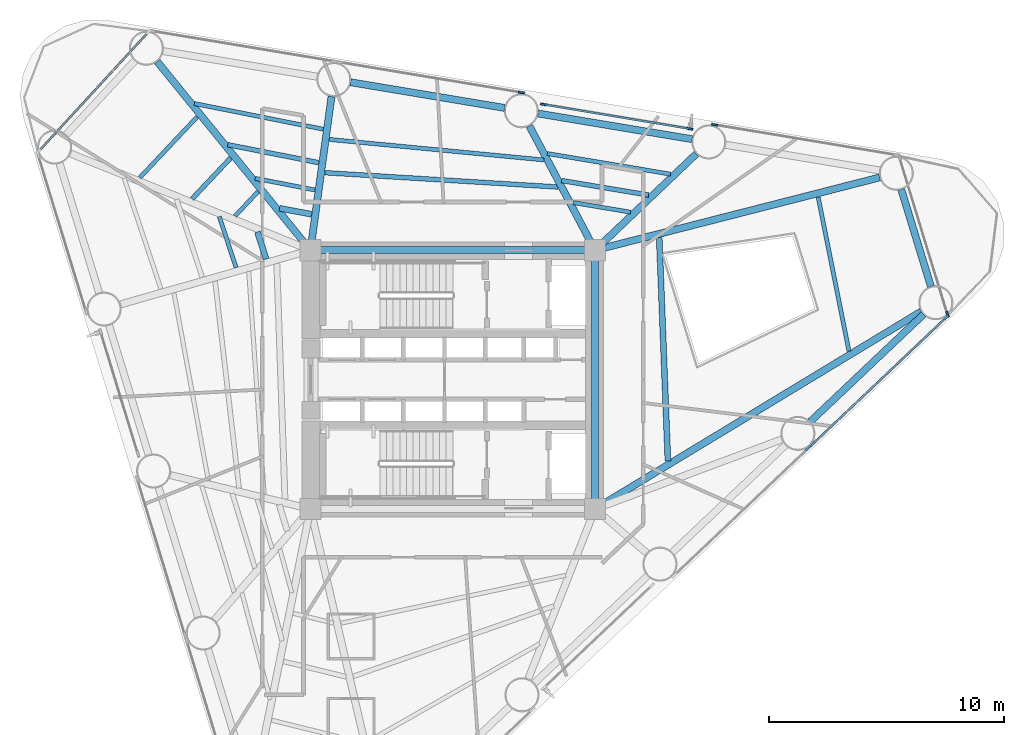
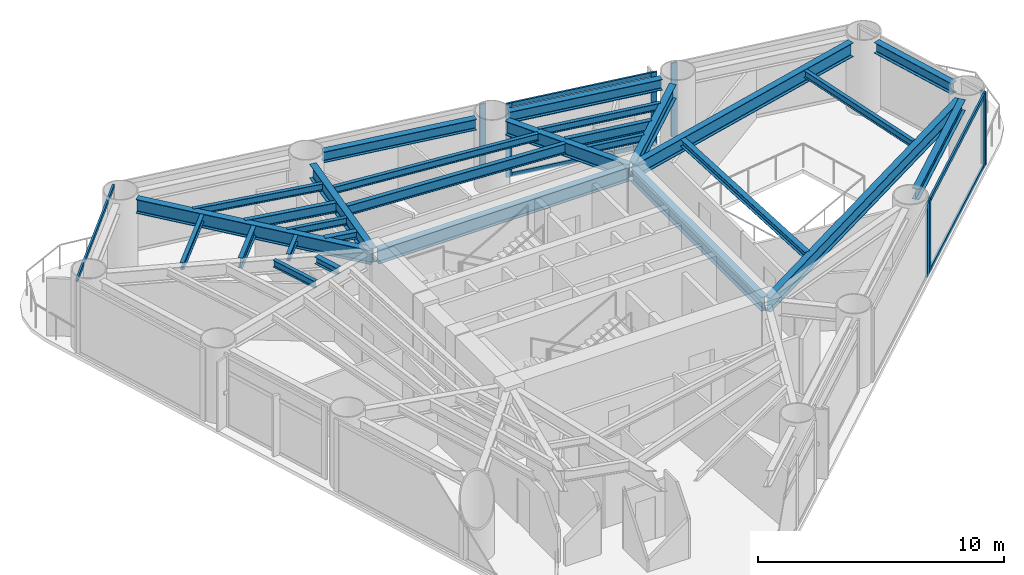
# One storey, part 3 of 10: 28 beams, 14 members, 7 elements without a shape of their own.
"""IFC4 building model written with IfcOpenShell, lengths in metres."""

from ifc_helpers import new_model, si_unit, direction, frame, origin, origin_2d, place, context, subcontext, project, spatial, rectangle, i_section, extrude, source, transform, mapped, material, layer, layer_set, material_profile, profile_set, type_object, element, aggregate, save


model = new_model("IFC4")

# Units and contexts
model_context = context("Model", 3, precision=1e-05, world=origin(), true_north=direction((0.0, 1.0)))
body_context = subcontext(model_context, "Body", "Model", "MODEL_VIEW")
ifc_project = project(units=[si_unit("LENGTHUNIT", "METRE"), si_unit("AREAUNIT", "SQUARE_METRE"), si_unit("VOLUMEUNIT", "CUBIC_METRE"), si_unit("PLANEANGLEUNIT", "RADIAN"), si_unit("MASSUNIT", "GRAM", prefix="KILO")], contexts=[model_context])

# Site, building, storey
site_placement = place(None, origin())
site = spatial("IfcSite", under=ifc_project, at=site_placement, CompositionType="ELEMENT")
building_placement = place(site_placement, origin())
building = spatial("IfcBuilding", under=site, at=building_placement, Name="Yunling Apex Tower", CompositionType="ELEMENT")
storey_placement = place(building_placement, frame((0.0, 0.0, 104.89990234375)))
storey = spatial("IfcBuildingStorey", under=building, at=storey_placement, Name="L26", CompositionType="ELEMENT", Elevation=104.89990234375)

# Beams
ifc_material_1 = material(Name="Steel Q355B", Category="steel")
ifc_material_profile_1 = material_profile(ifc_material_1, i_section(OverallWidth=0.300048828125, OverallDepth=0.699951171875, WebThickness=0.012939453125, FlangeThickness=0.02392578125, FilletRadius=0.02587890625, at=origin_2d()))
ifc_profile_set_1 = profile_set([ifc_material_profile_1], Name="Steel Q355B")
beam_type_1 = type_object("IfcBeamType", Name="BG-PRI-3", PredefinedType="USERDEFINED", material=ifc_profile_set_1)
shared_shape_1 = source(origin(), body_context, "Body", "SweptSolid", [
    extrude(i_section(OverallWidth=0.300048828125, OverallDepth=0.699951171875, WebThickness=0.012939453125, FlangeThickness=0.02392578125, FilletRadius=0.02587890625, at=origin_2d()), origin(), (0.0, 0.0, 1.0), 11.7998046875),
])
beam_1_placement = place(storey_placement, frame((5.89990234375, 5.5, 3.215087890625), z_axis=(-1.0, 0.0, 0.0), x_axis=(0.0, -1.0, 0.0)))
element("IfcBeam", 1, at=beam_1_placement, inside=storey, type_object=beam_type_1, Name="L26 Core Ring Tie Beam 3", ObjectType="GIRDER", PredefinedType="USERDEFINED", context=body_context, shape_type="MappedRepresentation", body=[
    mapped(shared_shape_1, transform((0.0, 0.0, 0.0), scale=1.0)),
])
shared_shape_2 = source(origin(), body_context, "Body", "SweptSolid", [
    extrude(i_section(OverallWidth=0.300048828125, OverallDepth=0.699951171875, WebThickness=0.012939453125, FlangeThickness=0.02392578125, FilletRadius=0.02587890625, at=origin_2d()), origin(), (0.0, 0.0, 1.0), 10.7001953125),
])
beam_2_placement = place(storey_placement, frame((6.050048828125, -5.35009765625, 3.215087890625), z_axis=(0.0, 1.0, 0.0), x_axis=(-1.0, 0.0, 0.0)))
element("IfcBeam", 2, at=beam_2_placement, inside=storey, type_object=beam_type_1, Name="L26 Core Ring Tie Beam 2", ObjectType="GIRDER", PredefinedType="USERDEFINED", context=body_context, shape_type="MappedRepresentation", body=[
    mapped(shared_shape_2, transform((0.0, 0.0, 0.0), scale=1.0)),
])
ifc_material_profile_2 = material_profile(ifc_material_1, i_section(OverallWidth=0.300048828125, OverallDepth=0.5400390625, WebThickness=0.011962890625, FlangeThickness=0.02001953125, FilletRadius=0.02392578125, at=origin_2d()))
ifc_profile_set_2 = profile_set([ifc_material_profile_2], Name="Steel Q355B")
beam_type_2 = type_object("IfcBeamType", Name="BP-SPN-1", PredefinedType="SPANDREL", material=ifc_profile_set_2)
shared_shape_3 = source(origin(), body_context, "Body", "SweptSolid", [
    extrude(i_section(OverallWidth=0.300048828125, OverallDepth=0.5400390625, WebThickness=0.011962890625, FlangeThickness=0.02001953125, FilletRadius=0.02392578125, at=origin_2d()), origin(), (0.0, 0.0, 1.0), 6.6416015625),
])
beam_3_placement = place(storey_placement, frame((15.194580078125, -1.79248046875, 3.295166015625), z_axis=(0.725873473547, 0.687828249203, 0.0), x_axis=(-0.687828249203, 0.725873473547, 0.0)))
element("IfcBeam", 3, at=beam_3_placement, inside=storey, type_object=beam_type_2, Name="L26 Perimeter Spandrel Beam 4", PredefinedType="SPANDREL", context=body_context, shape_type="MappedRepresentation", body=[
    mapped(shared_shape_3, transform((0.0, 0.0, 0.0), scale=1.0)),
])
shared_shape_4 = source(origin(), body_context, "Body", "SweptSolid", [
    extrude(i_section(OverallWidth=0.300048828125, OverallDepth=0.5400390625, WebThickness=0.011962890625, FlangeThickness=0.02001953125, FilletRadius=0.02392578125, at=origin_2d()), origin(), (0.0, 0.0, 1.0), 4.316162109375),
])
beam_4_placement = place(storey_placement, frame((20.327392578125, 3.9580078125, 3.295166015625), z_axis=(-0.29238810835, 0.956299740717, 0.0), x_axis=(-0.956299740717, -0.29238810835, 0.0)))
element("IfcBeam", 4, at=beam_4_placement, inside=storey, type_object=beam_type_2, Name="L26 Perimeter Spandrel Beam 5", PredefinedType="SPANDREL", context=body_context, shape_type="MappedRepresentation", body=[
    mapped(shared_shape_4, transform((0.0, 0.0, 0.0), scale=1.0)),
])
shared_shape_5 = source(origin(), body_context, "Body", "SweptSolid", [
    extrude(i_section(OverallWidth=0.300048828125, OverallDepth=0.5400390625, WebThickness=0.011962890625, FlangeThickness=0.02001953125, FilletRadius=0.02392578125, at=origin_2d()), origin(), (0.0, 0.0, 1.0), 6.641845703125),
])
for number, where, z_axis, x_axis, name in (
    (5, (10.176025390625, 10.21923828125, 3.295166015625), (-0.986402863526, 0.164345340146, 0.0), (-0.164345340146, -0.986402863526, 0.0), "L26 Perimeter Spandrel Beam 7"),
    (6, (2.206298828125, 11.547119140625, 3.295166015625), (-0.986396904036, 0.164381105081, 0.0), (-0.164381105081, -0.986396904036, 0.0), "L26 Perimeter Spandrel Beam 8"),
):
    element("IfcBeam", number, at=place(storey_placement, frame(where, z_axis=z_axis, x_axis=x_axis)), inside=storey, type_object=beam_type_2, Name=name, PredefinedType="SPANDREL", context=body_context, shape_type="MappedRepresentation", body=[
        mapped(shared_shape_5, transform((0.0, 0.0, 0.0), scale=1.0)),
    ])
shared_shape_6 = source(origin(), body_context, "Body", "SweptSolid", [
    extrude(i_section(OverallWidth=0.300048828125, OverallDepth=0.699951171875, WebThickness=0.012939453125, FlangeThickness=0.02392578125, FilletRadius=0.02587890625, at=origin_2d()), origin(), (0.0, 0.0, 1.0), 16.12255859375),
])
beam_5_placement = place(storey_placement, frame((19.91064453125, 2.890869140625, 3.215087890625), z_axis=(-0.855460711475, -0.517867715854, 0.0), x_axis=(0.517867715854, -0.855460711475, 0.0)))
element("IfcBeam", 7, at=beam_5_placement, inside=storey, type_object=beam_type_1, Name="L26 Radial Primary Girder R05", ObjectType="GIRDER", PredefinedType="USERDEFINED", context=body_context, shape_type="MappedRepresentation", body=[
    mapped(shared_shape_6, transform((0.0, 0.0, 0.0), scale=1.0)),
])
shared_shape_7 = source(origin(), body_context, "Body", "SweptSolid", [
    extrude(i_section(OverallWidth=0.300048828125, OverallDepth=0.699951171875, WebThickness=0.012939453125, FlangeThickness=0.02392578125, FilletRadius=0.02587890625, at=origin_2d()), origin(), (0.0, 0.0, 1.0), 12.404052734375),
])
beam_6_placement = place(storey_placement, frame((18.14501953125, 8.591552734375, 3.215087890625), z_axis=(-0.968850823376, -0.247645072723, 0.0), x_axis=(0.247645072723, -0.968850823376, 0.0)))
element("IfcBeam", 8, at=beam_6_placement, inside=storey, type_object=beam_type_1, Name="L26 Radial Primary Girder R06", ObjectType="GIRDER", PredefinedType="USERDEFINED", context=body_context, shape_type="MappedRepresentation", body=[
    mapped(shared_shape_7, transform((0.0, 0.0, 0.0), scale=1.0)),
])
shared_shape_8 = source(origin(), body_context, "Body", "SweptSolid", [
    extrude(i_section(OverallWidth=0.300048828125, OverallDepth=0.699951171875, WebThickness=0.012939453125, FlangeThickness=0.02392578125, FilletRadius=0.02587890625, at=origin_2d()), origin(), (0.0, 0.0, 1.0), 5.861572265625),
])
beam_7_placement = place(storey_placement, frame((10.354248046875, 9.595703125, 3.215087890625), z_axis=(-0.724444921608, -0.689332688588, 0.0), x_axis=(0.689332688588, -0.724444921608, 0.0)))
element("IfcBeam", 9, at=beam_7_placement, inside=storey, type_object=beam_type_1, Name="L26 Radial Primary Girder R07", ObjectType="GIRDER", PredefinedType="USERDEFINED", context=body_context, shape_type="MappedRepresentation", body=[
    mapped(shared_shape_8, transform((0.0, 0.0, 0.0), scale=1.0)),
])
shared_shape_9 = source(origin(), body_context, "Body", "SweptSolid", [
    extrude(i_section(OverallWidth=0.300048828125, OverallDepth=0.699951171875, WebThickness=0.012939453125, FlangeThickness=0.02392578125, FilletRadius=0.02587890625, at=origin_2d()), origin(), (0.0, 0.0, 1.0), 5.8935546875),
])
beam_8_placement = place(storey_placement, frame((3.258056640625, 10.781005859375, 3.215087890625), z_axis=(0.467396595772, -0.884047748858, 0.0), x_axis=(0.884047748858, 0.467396595772, 0.0)))
element("IfcBeam", 10, at=beam_8_placement, inside=storey, type_object=beam_type_1, Name="L26 Radial Primary Girder R08", ObjectType="GIRDER", PredefinedType="USERDEFINED", context=body_context, shape_type="MappedRepresentation", body=[
    mapped(shared_shape_9, transform((0.0, 0.0, 0.0), scale=1.0)),
])
shared_shape_10 = source(origin(), body_context, "Body", "SweptSolid", [
    extrude(i_section(OverallWidth=0.300048828125, OverallDepth=0.699951171875, WebThickness=0.012939453125, FlangeThickness=0.02392578125, FilletRadius=0.02587890625, at=origin_2d()), origin(), (0.0, 0.0, 1.0), 6.51171875),
])
beam_9_placement = place(storey_placement, frame((-5.154052734375, 12.03076171875, 3.215087890625), z_axis=(-0.135907866291, -0.990721480478, 0.0), x_axis=(0.990721480478, -0.135907866291, 0.0)))
element("IfcBeam", 11, at=beam_9_placement, inside=storey, type_object=beam_type_1, Name="L26 Radial Primary Girder R09", ObjectType="GIRDER", PredefinedType="USERDEFINED", context=body_context, shape_type="MappedRepresentation", body=[
    mapped(shared_shape_10, transform((0.0, 0.0, 0.0), scale=1.0)),
])
shared_shape_11 = source(origin(), body_context, "Body", "SweptSolid", [
    extrude(i_section(OverallWidth=0.300048828125, OverallDepth=0.699951171875, WebThickness=0.012939453125, FlangeThickness=0.02392578125, FilletRadius=0.02587890625, at=origin_2d()), origin(), (0.0, 0.0, 1.0), 10.248046875),
])
beam_10_placement = place(storey_placement, frame((-12.56201171875, 13.51611328125, 3.215087890625), z_axis=(0.630531635465, -0.776163550212, 0.0), x_axis=(0.776163550212, 0.630531635465, 0.0)))
element("IfcBeam", 12, at=beam_10_placement, inside=storey, type_object=beam_type_1, Name="L26 Radial Primary Girder R10", ObjectType="GIRDER", PredefinedType="USERDEFINED", context=body_context, shape_type="MappedRepresentation", body=[
    mapped(shared_shape_11, transform((0.0, 0.0, 0.0), scale=1.0)),
])
ifc_material_profile_3 = material_profile(ifc_material_1, i_section(OverallWidth=0.175048828125, OverallDepth=0.35009765625, WebThickness=0.007080078125, FlangeThickness=0.010986328125, FilletRadius=0.013916015625, at=origin_2d()))
ifc_profile_set_3 = profile_set([ifc_material_profile_3], Name="Steel Q355B")
beam_type_3 = type_object("IfcBeamType", Name="BJ-JST-1", PredefinedType="JOIST", material=ifc_profile_set_3)
shared_shape_12 = source(origin(), body_context, "Body", "SweptSolid", [
    extrude(i_section(OverallWidth=0.175048828125, OverallDepth=0.35009765625, WebThickness=0.007080078125, FlangeThickness=0.010986328125, FilletRadius=0.013916015625, at=origin_2d()), origin(), (0.0, 0.0, 1.0), 6.677978515625),
])
beam_11_placement = place(storey_placement, frame((16.844970703125, 1.2109375, 3.39013671875), z_axis=(-0.196502798026, 0.980503263823, 0.0), x_axis=(-0.980503263823, -0.196502798026, 0.0)))
element("IfcBeam", 13, at=beam_11_placement, inside=storey, type_object=beam_type_3, Name="L26 Composite Floor Joist BJ1-5", PredefinedType="JOIST", context=body_context, shape_type="MappedRepresentation", body=[
    mapped(shared_shape_12, transform((0.0, 0.0, 0.0), scale=1.0)),
])
ifc_material_profile_4 = material_profile(ifc_material_1, i_section(OverallWidth=0.25, OverallDepth=0.340087890625, WebThickness=0.009033203125, FlangeThickness=0.013916015625, FilletRadius=0.01806640625, at=origin_2d()))
ifc_profile_set_4 = profile_set([ifc_material_profile_4], Name="Steel Q355B")
beam_type_4 = type_object("IfcBeamType", Name="BJ-JST-2", PredefinedType="JOIST", material=ifc_profile_set_4)
shared_shape_13 = source(origin(), body_context, "Body", "SweptSolid", [
    extrude(i_section(OverallWidth=0.25, OverallDepth=0.340087890625, WebThickness=0.009033203125, FlangeThickness=0.013916015625, FilletRadius=0.01806640625, at=origin_2d()), origin(), (0.0, 0.0, 1.0), 9.504638671875),
])
beam_12_placement = place(storey_placement, frame((9.146484375, -3.4619140625, 3.39501953125), z_axis=(-0.038811925144, 0.999246533377, 0.0), x_axis=(-0.999246533377, -0.038811925144, 0.0)))
element("IfcBeam", 14, at=beam_12_placement, inside=storey, type_object=beam_type_4, Name="L26 Composite Floor Joist BJ2-5", PredefinedType="JOIST", context=body_context, shape_type="MappedRepresentation", body=[
    mapped(shared_shape_13, transform((0.0, 0.0, 0.0), scale=1.0)),
])
ifc_material_profile_5 = material_profile(ifc_material_1, i_section(OverallWidth=0.199951171875, OverallDepth=0.5, WebThickness=0.010009765625, FlangeThickness=0.01611328125, FilletRadius=0.02001953125, at=origin_2d()))
ifc_profile_set_5 = profile_set([ifc_material_profile_5], Name="Steel Q355B")
beam_type_5 = type_object("IfcBeamType", Name="BS-SEC-2", PredefinedType="BEAM", material=ifc_profile_set_5)
shared_shape_14 = source(origin(), body_context, "Body", "SweptSolid", [
    extrude(i_section(OverallWidth=0.199951171875, OverallDepth=0.5, WebThickness=0.010009765625, FlangeThickness=0.01611328125, FilletRadius=0.02001953125, at=origin_2d()), origin(), (0.0, 0.0, 1.0), 3.751708984375),
])
beam_13_placement = place(storey_placement, frame((8.328125, 7.84423828125, 3.315185546875), z_axis=(-0.986342871573, 0.164705008112, 0.0), x_axis=(-0.164705008112, -0.986342871573, 0.0)))
element("IfcBeam", 15, at=beam_13_placement, inside=storey, type_object=beam_type_5, Name="L26 Composite Floor Beam BS-7", PredefinedType="BEAM", context=body_context, shape_type="MappedRepresentation", body=[
    mapped(shared_shape_14, transform((0.0, 0.0, 0.0), scale=1.0)),
])
shared_shape_15 = source(origin(), body_context, "Body", "SweptSolid", [
    extrude(i_section(OverallWidth=0.175048828125, OverallDepth=0.35009765625, WebThickness=0.007080078125, FlangeThickness=0.010986328125, FilletRadius=0.013916015625, at=origin_2d()), origin(), (0.0, 0.0, 1.0), 5.31298828125),
])
beam_14_placement = place(storey_placement, frame((9.26220703125, 8.733154296875, 3.39013671875), z_axis=(-0.9863379805, 0.164734295835, 0.0), x_axis=(-0.164734295835, -0.9863379805, 0.0)))
element("IfcBeam", 16, at=beam_14_placement, inside=storey, type_object=beam_type_3, Name="L26 Composite Floor Joist BJ1-7", PredefinedType="JOIST", context=body_context, shape_type="MappedRepresentation", body=[
    mapped(shared_shape_15, transform((0.0, 0.0, 0.0), scale=1.0)),
])
shared_shape_16 = source(origin(), body_context, "Body", "SweptSolid", [
    extrude(i_section(OverallWidth=0.175048828125, OverallDepth=0.35009765625, WebThickness=0.007080078125, FlangeThickness=0.010986328125, FilletRadius=0.013916015625, at=origin_2d()), origin(), (0.0, 0.0, 1.0), 2.4736328125),
])
beam_15_placement = place(storey_placement, frame((7.563720703125, 7.116943359375, 3.39013671875), z_axis=(-0.986340524185, 0.164719064925, 0.0), x_axis=(-0.164719064925, -0.986340524185, 0.0)))
element("IfcBeam", 17, at=beam_15_placement, inside=storey, type_object=beam_type_3, Name="L26 Composite Floor Joist BJ3-7", PredefinedType="JOIST", context=body_context, shape_type="MappedRepresentation", body=[
    mapped(shared_shape_16, transform((0.0, 0.0, 0.0), scale=1.0)),
])
shared_shape_17 = source(origin(), body_context, "Body", "SweptSolid", [
    extrude(i_section(OverallWidth=0.199951171875, OverallDepth=0.5, WebThickness=0.010009765625, FlangeThickness=0.01611328125, FilletRadius=0.02001953125, at=origin_2d()), origin(), (0.0, 0.0, 1.0), 9.931396484375),
])
beam_16_placement = place(storey_placement, frame((4.4755859375, 8.185791015625, 3.315185546875), z_axis=(-0.998115763158, 0.061358971106, 0.0), x_axis=(-0.061358971106, -0.998115763158, 0.0)))
element("IfcBeam", 18, at=beam_16_placement, inside=storey, type_object=beam_type_5, Name="L26 Composite Floor Beam BS-8", PredefinedType="BEAM", context=body_context, shape_type="MappedRepresentation", body=[
    mapped(shared_shape_17, transform((0.0, 0.0, 0.0), scale=1.0)),
])
shared_shape_18 = source(origin(), body_context, "Body", "SweptSolid", [
    extrude(i_section(OverallWidth=0.175048828125, OverallDepth=0.35009765625, WebThickness=0.007080078125, FlangeThickness=0.010986328125, FilletRadius=0.013916015625, at=origin_2d()), origin(), (0.0, 0.0, 1.0), 9.154296875),
])
beam_17_placement = place(storey_placement, frame((3.8701171875, 9.33740234375, 3.39013671875), z_axis=(-0.99545727606, 0.095209303851, 0.0), x_axis=(-0.095209303851, -0.99545727606, 0.0)))
element("IfcBeam", 19, at=beam_17_placement, inside=storey, type_object=beam_type_3, Name="L26 Composite Floor Joist BJ1-8", PredefinedType="JOIST", context=body_context, shape_type="MappedRepresentation", body=[
    mapped(shared_shape_18, transform((0.0, 0.0, 0.0), scale=1.0)),
])
shared_shape_19 = source(origin(), body_context, "Body", "SweptSolid", [
    extrude(i_section(OverallWidth=0.199951171875, OverallDepth=0.5, WebThickness=0.010009765625, FlangeThickness=0.01611328125, FilletRadius=0.02001953125, at=origin_2d()), origin(), (0.0, 0.0, 1.0), 3.93603515625),
])
beam_18_placement = place(storey_placement, frame((-5.700439453125, 9.22314453125, 3.315185546875), z_axis=(-0.981071392503, 0.193646386002, 0.0), x_axis=(-0.193646386002, -0.981071392503, 0.0)))
element("IfcBeam", 20, at=beam_18_placement, inside=storey, type_object=beam_type_5, Name="L26 Composite Floor Beam BS-9", PredefinedType="BEAM", context=body_context, shape_type="MappedRepresentation", body=[
    mapped(shared_shape_19, transform((0.0, 0.0, 0.0), scale=1.0)),
])
shared_shape_20 = source(origin(), body_context, "Body", "SweptSolid", [
    extrude(i_section(OverallWidth=0.175048828125, OverallDepth=0.35009765625, WebThickness=0.007080078125, FlangeThickness=0.010986328125, FilletRadius=0.013916015625, at=origin_2d()), origin(), (0.0, 0.0, 1.0), 5.5859375),
])
beam_19_placement = place(storey_placement, frame((-5.505615234375, 10.642822265625, 3.39013671875), z_axis=(-0.980703200221, 0.195502514243, 0.0), x_axis=(-0.195502514243, -0.980703200221, 0.0)))
element("IfcBeam", 21, at=beam_19_placement, inside=storey, type_object=beam_type_3, Name="L26 Composite Floor Joist BJ1-9", PredefinedType="JOIST", context=body_context, shape_type="MappedRepresentation", body=[
    mapped(shared_shape_20, transform((0.0, 0.0, 0.0), scale=1.0)),
])
shared_shape_21 = source(origin(), body_context, "Body", "SweptSolid", [
    extrude(i_section(OverallWidth=0.175048828125, OverallDepth=0.35009765625, WebThickness=0.007080078125, FlangeThickness=0.010986328125, FilletRadius=0.013916015625, at=origin_2d()), origin(), (0.0, 0.0, 1.0), 2.586181640625),
])
beam_20_placement = place(storey_placement, frame((-5.85986328125, 8.061279296875, 3.39013671875), z_axis=(-0.981668903035, 0.190594241295, 0.0), x_axis=(-0.190594241295, -0.981668903035, 0.0)))
element("IfcBeam", 22, at=beam_20_placement, inside=storey, type_object=beam_type_3, Name="L26 Composite Floor Joist BJ3-9", PredefinedType="JOIST", context=body_context, shape_type="MappedRepresentation", body=[
    mapped(shared_shape_21, transform((0.0, 0.0, 0.0), scale=1.0)),
])
shared_shape_22 = source(origin(), body_context, "Body", "SweptSolid", [
    extrude(i_section(OverallWidth=0.25, OverallDepth=0.340087890625, WebThickness=0.009033203125, FlangeThickness=0.013916015625, FilletRadius=0.01806640625, at=origin_2d()), origin(), (0.0, 0.0, 1.0), 1.38671875),
])
beam_21_placement = place(storey_placement, frame((-6.001708984375, 7.028076171875, 3.39501953125), z_axis=(-0.982993560329, 0.183640029272, 0.0), x_axis=(-0.183640029272, -0.982993560329, 0.0)))
element("IfcBeam", 23, at=beam_21_placement, inside=storey, type_object=beam_type_4, Name="L26 Composite Floor Joist BJ2-9", PredefinedType="JOIST", context=body_context, shape_type="MappedRepresentation", body=[
    mapped(shared_shape_22, transform((0.0, 0.0, 0.0), scale=1.0)),
])
shared_shape_23 = source(origin(), body_context, "Body", "SweptSolid", [
    extrude(i_section(OverallWidth=0.199951171875, OverallDepth=0.5, WebThickness=0.010009765625, FlangeThickness=0.01611328125, FilletRadius=0.02001953125, at=origin_2d()), origin(), (0.0, 0.0, 1.0), 2.385498046875),
])
beam_22_placement = place(storey_placement, frame((-9.44091796875, 9.422607421875, 3.315185546875), z_axis=(-0.685604091154, -0.727974608207, 0.0), x_axis=(0.727974608207, -0.685604091154, 0.0)))
element("IfcBeam", 24, at=beam_22_placement, inside=storey, type_object=beam_type_5, Name="L26 Composite Floor Beam BS-10", PredefinedType="BEAM", context=body_context, shape_type="MappedRepresentation", body=[
    mapped(shared_shape_23, transform((0.0, 0.0, 0.0), scale=1.0)),
])
shared_shape_24 = source(origin(), body_context, "Body", "SweptSolid", [
    extrude(i_section(OverallWidth=0.175048828125, OverallDepth=0.35009765625, WebThickness=0.007080078125, FlangeThickness=0.010986328125, FilletRadius=0.013916015625, at=origin_2d()), origin(), (0.0, 0.0, 1.0), 3.558349609375),
])
beam_23_placement = place(storey_placement, frame((-10.862548828125, 11.172607421875, 3.39013671875), z_axis=(-0.685976545908, -0.727623651666, 0.0), x_axis=(0.727623651666, -0.685976545908, 0.0)))
element("IfcBeam", 25, at=beam_23_placement, inside=storey, type_object=beam_type_3, Name="L26 Composite Floor Joist BJ1-10", PredefinedType="JOIST", context=body_context, shape_type="MappedRepresentation", body=[
    mapped(shared_shape_24, transform((0.0, 0.0, 0.0), scale=1.0)),
])
shared_shape_25 = source(origin(), body_context, "Body", "SweptSolid", [
    extrude(i_section(OverallWidth=0.175048828125, OverallDepth=0.35009765625, WebThickness=0.007080078125, FlangeThickness=0.010986328125, FilletRadius=0.013916015625, at=origin_2d()), origin(), (0.0, 0.0, 1.0), 1.42578125),
])
beam_24_placement = place(storey_placement, frame((-8.277587890625, 7.99072265625, 3.39013671875), z_axis=(-0.68493728069, -0.728602032334, 0.0), x_axis=(0.728602032334, -0.68493728069, 0.0)))
element("IfcBeam", 26, at=beam_24_placement, inside=storey, type_object=beam_type_3, Name="L26 Composite Floor Joist BJ3-10", PredefinedType="JOIST", context=body_context, shape_type="MappedRepresentation", body=[
    mapped(shared_shape_25, transform((0.0, 0.0, 0.0), scale=1.0)),
])
shared_shape_26 = source(origin(), body_context, "Body", "SweptSolid", [
    extrude(i_section(OverallWidth=0.175048828125, OverallDepth=0.35009765625, WebThickness=0.007080078125, FlangeThickness=0.010986328125, FilletRadius=0.013916015625, at=origin_2d()), origin(), (0.0, 0.0, 1.0), 2.277099609375),
])
beam_25_placement = place(storey_placement, frame((-9.92138671875, 6.927978515625, 3.39013671875), z_axis=(0.311044342957, -0.950395400196, 0.0), x_axis=(0.950395400196, 0.311044342957, 0.0)))
element("IfcBeam", 27, at=beam_25_placement, inside=storey, type_object=beam_type_3, Name="L26 Composite Floor Joist BJ3-11", PredefinedType="JOIST", context=body_context, shape_type="MappedRepresentation", body=[
    mapped(shared_shape_26, transform((0.0, 0.0, 0.0), scale=1.0)),
])
shared_shape_27 = source(origin(), body_context, "Body", "SweptSolid", [
    extrude(i_section(OverallWidth=0.25, OverallDepth=0.340087890625, WebThickness=0.009033203125, FlangeThickness=0.013916015625, FilletRadius=0.01806640625, at=origin_2d()), origin(), (0.0, 0.0, 1.0), 1.2041015625),
])
beam_26_placement = place(storey_placement, frame((-8.302490234375, 6.275146484375, 3.39501953125), z_axis=(0.306173262139, -0.951975805129, 0.0), x_axis=(0.951975805129, 0.306173262139, 0.0)))
element("IfcBeam", 28, at=beam_26_placement, inside=storey, type_object=beam_type_4, Name="L26 Composite Floor Joist BJ2-11", PredefinedType="JOIST", context=body_context, shape_type="MappedRepresentation", body=[
    mapped(shared_shape_27, transform((0.0, 0.0, 0.0), scale=1.0)),
])

# Curtain wall, member
ifc_material_2 = material(Name="Bronze anodised aluminium", Category="aluminium")
ifc_layer = layer(ifc_material_2, 0.260009765625)
ifc_layer_set = layer_set([ifc_layer], Name="Bronze anodised aluminium")
curtain_wall_type = type_object("IfcCurtainWallType", Name="CW-SYS-2", PredefinedType="NOTDEFINED", material=ifc_layer_set)
curtain_wall_1_placement = place(storey_placement, origin())
curtain_wall_1 = element("IfcCurtainWall", 29, at=curtain_wall_1_placement, inside=storey, type_object=curtain_wall_type, Name="CW-L26-F1-B3", PredefinedType="NOTDEFINED")
ifc_material_profile_6 = material_profile(ifc_material_2, rectangle(XDim=0.0849609375, YDim=0.260009765625, at=origin_2d()))
ifc_profile_set_6 = profile_set([ifc_material_profile_6], Name="Bronze anodised aluminium")
member_type_1 = type_object("IfcMemberType", Name="CW-MUL-2", PredefinedType="MULLION", material=ifc_profile_set_6)
shared_shape_28 = source(origin(), body_context, "Body", "SweptSolid", [
    extrude(rectangle(XDim=0.0849609375, YDim=0.260009765625, at=origin_2d()), origin(), (0.0, 0.0, 1.0), 3.664794921875),
])
member_1_placement = place(storey_placement, frame((15.106689453125, -2.923095703125, -0.0498046875), z_axis=(0.0, 0.0, 1.0), x_axis=(-0.687861264918, 0.72584218686, 0.0)))
member_1 = element("IfcMember", 30, at=member_1_placement, type_object=member_type_1, Name="CW-SYS-2 mullion 2", PredefinedType="MULLION", context=body_context, shape_type="MappedRepresentation", body=[
    mapped(shared_shape_28, transform((0.0, 0.0, 0.0), scale=1.0)),
])
aggregate(curtain_wall_1, [member_1])

# Curtain wall, members
curtain_wall_2_placement = place(storey_placement, origin())
curtain_wall_2 = element("IfcCurtainWall", 31, at=curtain_wall_2_placement, inside=storey, type_object=curtain_wall_type, Name="CW-L26-F1-B4", PredefinedType="NOTDEFINED")
member_2_placement = place(storey_placement, frame((15.28466796875, -2.754638671875, -0.0498046875), z_axis=(0.0, 0.0, 1.0), x_axis=(-0.687861264918, 0.72584218686, 0.0)))
member_2 = element("IfcMember", 32, at=member_2_placement, type_object=member_type_1, Name="CW-SYS-2 mullion 1", PredefinedType="MULLION", context=body_context, shape_type="MappedRepresentation", body=[
    mapped(shared_shape_28, transform((0.0, 0.0, 0.0), scale=1.0)),
])
member_3_placement = place(storey_placement, frame((20.971435546875, 2.634765625, -0.0498046875), z_axis=(0.0, 0.0, 1.0), x_axis=(-0.687861264918, 0.72584218686, 0.0)))
member_3 = element("IfcMember", 33, at=member_3_placement, type_object=member_type_1, Name="CW-SYS-2 mullion 2", PredefinedType="MULLION", context=body_context, shape_type="MappedRepresentation", body=[
    mapped(shared_shape_28, transform((0.0, 0.0, 0.0), scale=1.0)),
])

# Curtain wall, member
curtain_wall_3_placement = place(storey_placement, origin())
curtain_wall_3 = element("IfcCurtainWall", 34, at=curtain_wall_3_placement, inside=storey, type_object=curtain_wall_type, Name="CW-L26-CRN1", PredefinedType="NOTDEFINED")
member_4_placement = place(storey_placement, frame((21.0341796875, 2.77392578125, -0.0498046875), z_axis=(0.0, 0.0, 1.0), x_axis=(-0.95630374567, -0.292375009223, 0.0)))
member_4 = element("IfcMember", 35, at=member_4_placement, type_object=member_type_1, Name="CW-SYS-2 mullion 1", PredefinedType="MULLION", context=body_context, shape_type="MappedRepresentation", body=[
    mapped(shared_shape_28, transform((0.0, 0.0, 0.0), scale=1.0)),
])
aggregate(curtain_wall_3, [member_4])

curtain_wall_4_placement = place(storey_placement, origin())
curtain_wall_4 = element("IfcCurtainWall", 36, at=curtain_wall_4_placement, inside=storey, type_object=curtain_wall_type, Name="CW-L26-F2-B1", PredefinedType="NOTDEFINED")
member_5_placement = place(storey_placement, frame((11.131103515625, 10.83056640625, -0.0498046875), z_axis=(0.0, 0.0, 1.0), x_axis=(-0.16436008369, -0.98640040698, 0.0)))
member_5 = element("IfcMember", 37, at=member_5_placement, type_object=member_type_1, Name="CW-SYS-2 mullion 2", PredefinedType="MULLION", context=body_context, shape_type="MappedRepresentation", body=[
    mapped(shared_shape_28, transform((0.0, 0.0, 0.0), scale=1.0)),
])
aggregate(curtain_wall_4, [member_5])

# Curtain wall, members
curtain_wall_5_placement = place(storey_placement, origin())
curtain_wall_5 = element("IfcCurtainWall", 38, at=curtain_wall_5_placement, inside=storey, type_object=curtain_wall_type, Name="CW-L26-F2-B2", PredefinedType="NOTDEFINED")
member_6_placement = place(storey_placement, frame((10.078857421875, 10.6611328125, -0.0498046875), z_axis=(0.0, 0.0, 1.0), x_axis=(-0.164355844023, -0.986401113409, 0.0)))
member_6 = element("IfcMember", 39, at=member_6_placement, type_object=member_type_1, Name="CW-SYS-2 mullion 1", PredefinedType="MULLION", context=body_context, shape_type="MappedRepresentation", body=[
    mapped(shared_shape_28, transform((0.0, 0.0, 0.0), scale=1.0)),
])
member_7_placement = place(storey_placement, frame((3.85986328125, 11.697509765625, -0.0498046875), z_axis=(0.0, 0.0, 1.0), x_axis=(-0.164355844023, -0.986401113409, 0.0)))
member_7 = element("IfcMember", 40, at=member_7_placement, type_object=member_type_1, Name="CW-SYS-2 mullion 2", PredefinedType="MULLION", context=body_context, shape_type="MappedRepresentation", body=[
    mapped(shared_shape_28, transform((0.0, 0.0, 0.0), scale=1.0)),
])

# Curtain wall, member
curtain_wall_6_placement = place(storey_placement, origin())
curtain_wall_6 = element("IfcCurtainWall", 41, at=curtain_wall_6_placement, inside=storey, type_object=curtain_wall_type, Name="CW-L26-F2-B3", PredefinedType="NOTDEFINED")
member_8_placement = place(storey_placement, frame((2.91943359375, 12.198974609375, -0.0498046875), z_axis=(0.0, 0.0, 1.0), x_axis=(-0.164362130784, -0.986400065878, 0.0)))
member_8 = element("IfcMember", 42, at=member_8_placement, type_object=member_type_1, Name="CW-SYS-2 mullion 1", PredefinedType="MULLION", context=body_context, shape_type="MappedRepresentation", body=[
    mapped(shared_shape_28, transform((0.0, 0.0, 0.0), scale=1.0)),
])
aggregate(curtain_wall_6, [member_8])

# Member
ifc_material_profile_7 = material_profile(ifc_material_2, rectangle(XDim=0.0849609375, YDim=0.199951171875, at=origin_2d()))
ifc_profile_set_7 = profile_set([ifc_material_profile_7], Name="Bronze anodised aluminium")
member_type_2 = type_object("IfcMemberType", Name="CW-TRN-2", PredefinedType="USERDEFINED", material=ifc_profile_set_7)
shared_shape_29 = source(origin(), body_context, "Body", "SweptSolid", [
    extrude(rectangle(XDim=0.0849609375, YDim=0.199951171875, at=origin_2d()), origin(), (0.0, 0.0, 1.0), 7.75830078125),
])
member_9_placement = place(storey_placement, frame((15.312255859375, -2.728271484375, 0.04248046875), z_axis=(0.725842697135, 0.687860726467, 0.0), x_axis=(-0.687860726467, 0.725842697135, 0.0)))
member_9 = element("IfcMember", 43, at=member_9_placement, type_object=member_type_2, Name="CW-SYS-2 transom 1.1", ObjectType="TRANSOM", PredefinedType="USERDEFINED", context=body_context, shape_type="MappedRepresentation", body=[
    mapped(shared_shape_29, transform((0.0, 0.0, 0.0), scale=1.0)),
])

member_10_placement = place(storey_placement, frame((15.312255859375, -2.728271484375, 3.522705078125), z_axis=(0.725842697135, 0.687860726467, 0.0), x_axis=(-0.687860726467, 0.725842697135, 0.0)))
member_10 = element("IfcMember", 44, at=member_10_placement, type_object=member_type_2, Name="CW-SYS-2 transom 1.2", ObjectType="TRANSOM", PredefinedType="USERDEFINED", context=body_context, shape_type="MappedRepresentation", body=[
    mapped(shared_shape_29, transform((0.0, 0.0, 0.0), scale=1.0)),
])

aggregate(curtain_wall_2, [member_2, member_3, member_9, member_10])

shared_shape_30 = source(origin(), body_context, "Body", "SweptSolid", [
    extrude(rectangle(XDim=0.0849609375, YDim=0.199951171875, at=origin_2d()), origin(), (0.0, 0.0, 1.0), 6.228515625),
])
member_11_placement = place(storey_placement, frame((10.041259765625, 10.66748046875, 0.04248046875), z_axis=(-0.986401338544, 0.164354492848, 0.0), x_axis=(-0.164354492848, -0.986401338544, 0.0)))
member_11 = element("IfcMember", 45, at=member_11_placement, type_object=member_type_2, Name="CW-SYS-2 transom 1.1", ObjectType="TRANSOM", PredefinedType="USERDEFINED", context=body_context, shape_type="MappedRepresentation", body=[
    mapped(shared_shape_30, transform((0.0, 0.0, 0.0), scale=1.0)),
])

member_12_placement = place(storey_placement, frame((10.041259765625, 10.66748046875, 2.715087890625), z_axis=(-0.986401338544, 0.164354492848, 0.0), x_axis=(-0.164354492848, -0.986401338544, 0.0)))
member_12 = element("IfcMember", 46, at=member_12_placement, type_object=member_type_2, Name="CW-SYS-2 transom 1.2", ObjectType="TRANSOM", PredefinedType="USERDEFINED", context=body_context, shape_type="MappedRepresentation", body=[
    mapped(shared_shape_30, transform((0.0, 0.0, 0.0), scale=1.0)),
])

member_13_placement = place(storey_placement, frame((10.041259765625, 10.66748046875, 3.522705078125), z_axis=(-0.986401338544, 0.164354492848, 0.0), x_axis=(-0.164354492848, -0.986401338544, 0.0)))
member_13 = element("IfcMember", 47, at=member_13_placement, type_object=member_type_2, Name="CW-SYS-2 transom 1.3", ObjectType="TRANSOM", PredefinedType="USERDEFINED", context=body_context, shape_type="MappedRepresentation", body=[
    mapped(shared_shape_30, transform((0.0, 0.0, 0.0), scale=1.0)),
])

aggregate(curtain_wall_5, [member_6, member_7, member_11, member_12, member_13])

# Curtain wall, member
curtain_wall_7_placement = place(storey_placement, origin())
curtain_wall_7 = element("IfcCurtainWall", 48, at=curtain_wall_7_placement, inside=storey, type_object=curtain_wall_type, Name="CW-L26-CRN2", PredefinedType="NOTDEFINED")
shared_shape_31 = source(origin(), body_context, "Body", "SweptSolid", [
    extrude(rectangle(XDim=0.0849609375, YDim=0.199951171875, at=origin_2d()), origin(), (0.0, 0.0, 1.0), 6.831298828125),
])
member_14_placement = place(storey_placement, frame((-12.957275390625, 14.755615234375, 3.522705078125), z_axis=(-0.676783953504, -0.73618168972, 0.0), x_axis=(0.73618168972, -0.676783953504, 0.0)))
member_14 = element("IfcMember", 49, at=member_14_placement, type_object=member_type_2, Name="CW-SYS-2 transom 1.2", ObjectType="TRANSOM", PredefinedType="USERDEFINED", context=body_context, shape_type="MappedRepresentation", body=[
    mapped(shared_shape_31, transform((0.0, 0.0, 0.0), scale=1.0)),
])
aggregate(curtain_wall_7, [member_14])

save(model, "model.ifc")
